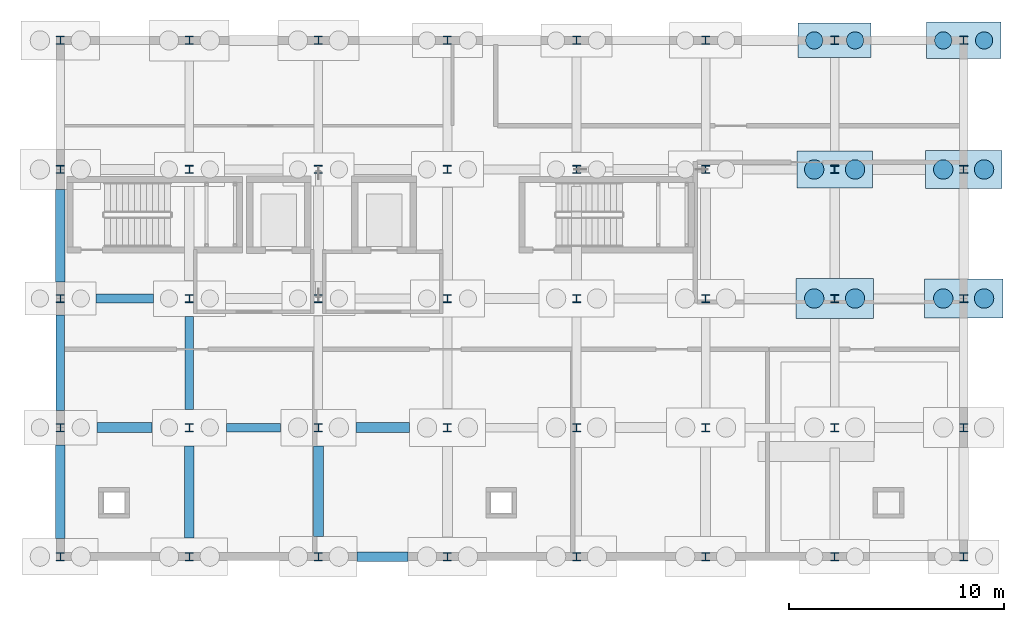
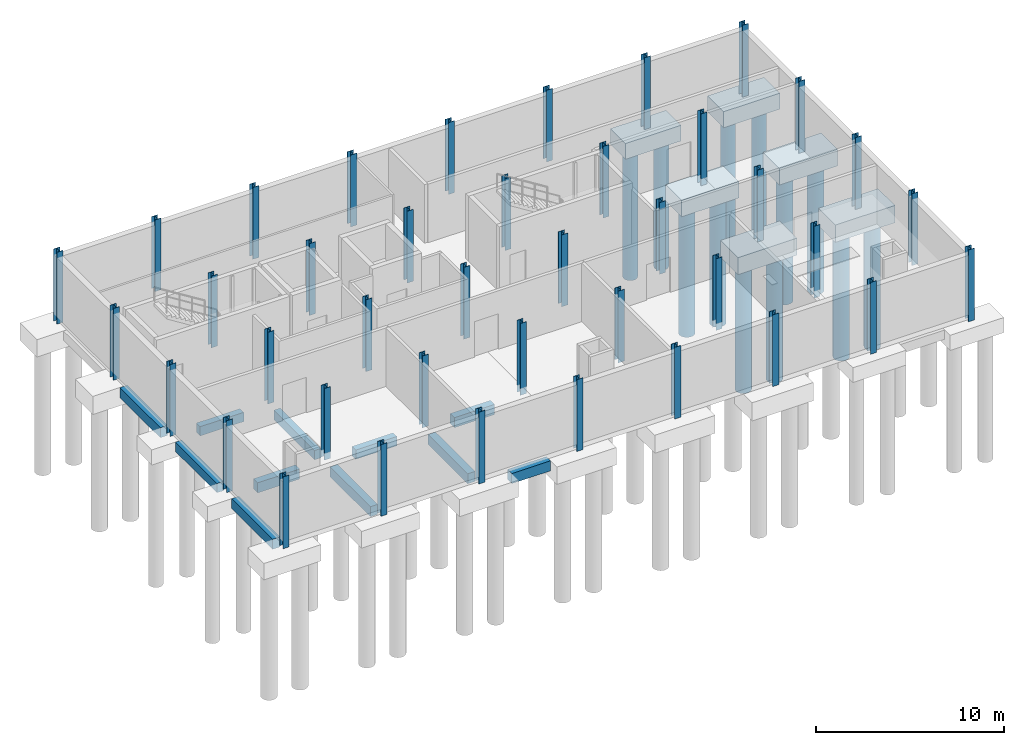
# One storey, part 2 of 12: 40 columns, 12 piles, 11 beams, 6 footings.
"""IFC4 building model written with IfcOpenShell, lengths in metres."""

from ifc_helpers import new_model, si_unit, direction, frame, origin, origin_2d, place, context, subcontext, project, spatial, rectangle, circle, i_section, extrude, material, material_profile, profile_set, type_object, element, save


model = new_model("IFC4")

# Units and contexts
model_context = context("Model", 3, precision=1e-05, world=origin(), true_north=direction((0.0, 1.0)))
body_context = subcontext(model_context, "Body", "Model", "MODEL_VIEW")
ifc_project = project(units=[si_unit("LENGTHUNIT", "METRE"), si_unit("AREAUNIT", "SQUARE_METRE"), si_unit("VOLUMEUNIT", "CUBIC_METRE"), si_unit("PLANEANGLEUNIT", "RADIAN"), si_unit("MASSUNIT", "GRAM", prefix="KILO")], contexts=[model_context])

# Site, building, storey
site_placement = place(None, origin())
site = spatial("IfcSite", under=ifc_project, at=site_placement, CompositionType="ELEMENT")
building_placement = place(site_placement, origin())
building = spatial("IfcBuilding", under=site, at=building_placement, Name="Siltcreek Boulevard Central Fire Station", CompositionType="ELEMENT")
storey_placement = place(building_placement, frame((0.0, 0.0, -4.199951171875)))
storey = spatial("IfcBuildingStorey", under=building, at=storey_placement, Name="B01", CompositionType="ELEMENT", Elevation=-4.199951171875)

# Footings
ifc_material_1 = material(Name="Concrete C35/45", Category="concrete")
footing_type_1 = type_object("IfcFootingType", Name="PC_340X160X102", PredefinedType="PILE_CAP", material=ifc_material_1)
footing_1_placement = place(storey_placement, frame((160.199951171875, 112.199951171875, -1.469970703125), z_axis=(0.0, 0.0, 1.0), x_axis=(1.0, 0.0, 0.0)))
element("IfcFooting", 1, at=footing_1_placement, inside=storey, type_object=footing_type_1, Name="Reinforced concrete pile cap PC-163", PredefinedType="PILE_CAP", context=body_context, shape_type="SweptSolid", body=[
    extrude(rectangle(XDim=3.39990234375, YDim=1.60009765625, at=origin_2d()), origin(), (0.0, 0.0, 1.0), 1.02001953125),
])
footing_type_2 = type_object("IfcFootingType", Name="PC_345X170X104", PredefinedType="PILE_CAP", material=ifc_material_1)
footing_2_placement = place(storey_placement, frame((166.199951171875, 112.199951171875, -1.489990234375), z_axis=(0.0, 0.0, 1.0), x_axis=(1.0, 0.0, 0.0)))
element("IfcFooting", 2, at=footing_2_placement, inside=storey, type_object=footing_type_2, Name="Reinforced concrete pile cap PC-168", PredefinedType="PILE_CAP", context=body_context, shape_type="SweptSolid", body=[
    extrude(rectangle(XDim=3.449951171875, YDim=1.699951171875, at=origin_2d()), origin(), (0.0, 0.0, 1.0), 1.0400390625),
])
footing_type_3 = type_object("IfcFootingType", Name="PC_350X170X106", PredefinedType="PILE_CAP", material=ifc_material_1)
footing_3_placement = place(storey_placement, frame((160.199951171875, 106.199951171875, -1.510009765625), z_axis=(0.0, 0.0, 1.0), x_axis=(1.0, 0.0, 0.0)))
element("IfcFooting", 3, at=footing_3_placement, inside=storey, type_object=footing_type_3, Name="Reinforced concrete pile cap PC-162", PredefinedType="PILE_CAP", context=body_context, shape_type="SweptSolid", body=[
    extrude(rectangle(XDim=3.5, YDim=1.699951171875, at=origin_2d()), origin(), (0.0, 0.0, 1.0), 1.06005859375),
])
footing_type_4 = type_object("IfcFootingType", Name="PC_355X175X108", PredefinedType="PILE_CAP", material=ifc_material_1)
footing_4_placement = place(storey_placement, frame((166.199951171875, 106.199951171875, -1.530029296875), z_axis=(0.0, 0.0, 1.0), x_axis=(1.0, 0.0, 0.0)))
element("IfcFooting", 4, at=footing_4_placement, inside=storey, type_object=footing_type_4, Name="Reinforced concrete pile cap PC-167", PredefinedType="PILE_CAP", context=body_context, shape_type="SweptSolid", body=[
    extrude(rectangle(XDim=3.550048828125, YDim=1.75, at=origin_2d()), origin(), (0.0, 0.0, 1.0), 1.080078125),
])
footing_type_5 = type_object("IfcFootingType", Name="PC_360X185X110", PredefinedType="PILE_CAP", material=ifc_material_1)
footing_5_placement = place(storey_placement, frame((160.199951171875, 100.199951171875, -1.550048828125), z_axis=(0.0, 0.0, 1.0), x_axis=(1.0, 0.0, 0.0)))
element("IfcFooting", 5, at=footing_5_placement, inside=storey, type_object=footing_type_5, Name="Reinforced concrete pile cap PC-161", PredefinedType="PILE_CAP", context=body_context, shape_type="SweptSolid", body=[
    extrude(rectangle(XDim=3.60009765625, YDim=1.85009765625, at=origin_2d()), origin(), (0.0, 0.0, 1.0), 1.10009765625),
])
footing_type_6 = type_object("IfcFootingType", Name="PC_365X180X112", PredefinedType="PILE_CAP", material=ifc_material_1)
footing_6_placement = place(storey_placement, frame((166.199951171875, 100.199951171875, -1.570068359375), z_axis=(0.0, 0.0, 1.0), x_axis=(1.0, 0.0, 0.0)))
element("IfcFooting", 6, at=footing_6_placement, inside=storey, type_object=footing_type_6, Name="Reinforced concrete pile cap PC-166", PredefinedType="PILE_CAP", context=body_context, shape_type="SweptSolid", body=[
    extrude(rectangle(XDim=3.64990234375, YDim=1.800048828125, at=origin_2d()), origin(), (0.0, 0.0, 1.0), 1.1201171875),
])

# Piles
ifc_material_profile_1 = material_profile(ifc_material_1, circle(Radius=0.39990234375, at=origin_2d()), Name="SHAFT800")
ifc_profile_set_1 = profile_set([ifc_material_profile_1], Name="Concrete C35/45")
pile_type_1 = type_object("IfcPileType", Name="PILE_D800", PredefinedType="BORED", material=ifc_profile_set_1)
for number, where, z_axis, x_axis, name in (
    (7, (159.25, 112.199951171875, -1.3701171875), (0.0, 0.0, -1.0), (1.0, 0.0, 0.0), "Bored concrete pile 312 in Vashon till"),
    (8, (161.14990234375, 112.199951171875, -1.3701171875), (0.0, 0.0, -1.0), (1.0, 0.0, 0.0), "Bored concrete pile 313 in Vashon till"),
):
    element("IfcPile", number, at=place(storey_placement, frame(where, z_axis=z_axis, x_axis=x_axis)), inside=storey, type_object=pile_type_1, Name=name, PredefinedType="BORED", context=body_context, shape_type="SweptSolid", body=[
        extrude(circle(Radius=0.39990234375, at=origin_2d()), origin(), (0.0, 0.0, 1.0), 8.429931640625),
    ])
for number, where, z_axis, x_axis, name in (
    (9, (165.25, 112.199951171875, -1.39013671875), (0.0, 0.0, -1.0), (1.0, 0.0, 0.0), "Bored concrete pile 322 in Vashon till"),
    (10, (167.14990234375, 112.199951171875, -1.39013671875), (0.0, 0.0, -1.0), (1.0, 0.0, 0.0), "Bored concrete pile 323 in Vashon till"),
):
    element("IfcPile", number, at=place(storey_placement, frame(where, z_axis=z_axis, x_axis=x_axis)), inside=storey, type_object=pile_type_1, Name=name, PredefinedType="BORED", context=body_context, shape_type="SweptSolid", body=[
        extrude(circle(Radius=0.39990234375, at=origin_2d()), origin(), (0.0, 0.0, 1.0), 8.409912109375),
    ])
ifc_material_profile_2 = material_profile(ifc_material_1, circle(Radius=0.449951171875, at=origin_2d()), Name="SHAFT900")
ifc_profile_set_2 = profile_set([ifc_material_profile_2], Name="Concrete C35/45")
pile_type_2 = type_object("IfcPileType", Name="PILE_D900", PredefinedType="BORED", material=ifc_profile_set_2)
for number, where, z_axis, x_axis, name in (
    (11, (159.25, 100.199951171875, -1.449951171875), (0.0, 0.0, -1.0), (1.0, 0.0, 0.0), "Bored concrete pile 308 in Vashon till"),
    (12, (161.14990234375, 100.199951171875, -1.449951171875), (0.0, 0.0, -1.0), (1.0, 0.0, 0.0), "Bored concrete pile 309 in Vashon till"),
):
    element("IfcPile", number, at=place(storey_placement, frame(where, z_axis=z_axis, x_axis=x_axis)), inside=storey, type_object=pile_type_2, Name=name, PredefinedType="BORED", context=body_context, shape_type="SweptSolid", body=[
        extrude(circle(Radius=0.449951171875, at=origin_2d()), origin(), (0.0, 0.0, 1.0), 8.35009765625),
    ])
for number, where, z_axis, x_axis, name in (
    (13, (159.25, 106.199951171875, -1.41015625), (0.0, 0.0, -1.0), (1.0, 0.0, 0.0), "Bored concrete pile 310 in Vashon till"),
    (14, (161.14990234375, 106.199951171875, -1.41015625), (0.0, 0.0, -1.0), (1.0, 0.0, 0.0), "Bored concrete pile 311 in Vashon till"),
):
    element("IfcPile", number, at=place(storey_placement, frame(where, z_axis=z_axis, x_axis=x_axis)), inside=storey, type_object=pile_type_2, Name=name, PredefinedType="BORED", context=body_context, shape_type="SweptSolid", body=[
        extrude(circle(Radius=0.449951171875, at=origin_2d()), origin(), (0.0, 0.0, 1.0), 8.389892578125),
    ])
for number, where, z_axis, x_axis, name in (
    (15, (165.25, 100.199951171875, -1.469970703125), (0.0, 0.0, -1.0), (1.0, 0.0, 0.0), "Bored concrete pile 318 in Vashon till"),
    (16, (167.14990234375, 100.199951171875, -1.469970703125), (0.0, 0.0, -1.0), (1.0, 0.0, 0.0), "Bored concrete pile 319 in Vashon till"),
):
    element("IfcPile", number, at=place(storey_placement, frame(where, z_axis=z_axis, x_axis=x_axis)), inside=storey, type_object=pile_type_2, Name=name, PredefinedType="BORED", context=body_context, shape_type="SweptSolid", body=[
        extrude(circle(Radius=0.449951171875, at=origin_2d()), origin(), (0.0, 0.0, 1.0), 8.330078125),
    ])
for number, where, z_axis, x_axis, name in (
    (17, (165.25, 106.199951171875, -1.429931640625), (0.0, 0.0, -1.0), (1.0, 0.0, 0.0), "Bored concrete pile 320 in Vashon till"),
    (18, (167.14990234375, 106.199951171875, -1.429931640625), (0.0, 0.0, -1.0), (1.0, 0.0, 0.0), "Bored concrete pile 321 in Vashon till"),
):
    element("IfcPile", number, at=place(storey_placement, frame(where, z_axis=z_axis, x_axis=x_axis)), inside=storey, type_object=pile_type_2, Name=name, PredefinedType="BORED", context=body_context, shape_type="SweptSolid", body=[
        extrude(circle(Radius=0.449951171875, at=origin_2d()), origin(), (0.0, 0.0, 1.0), 8.3701171875),
    ])

# Columns
ifc_material_2 = material(Name="Structural steel ASTM A992 Gr50", Category="steel")
ifc_material_profile_3 = material_profile(ifc_material_2, i_section(OverallWidth=0.3740234375, OverallDepth=0.3720703125, WebThickness=0.016357421875, FlangeThickness=0.026123046875, at=origin_2d()), Name="W360X196")
ifc_profile_set_3 = profile_set([ifc_material_profile_3], Name="Structural steel ASTM A992 Gr50")
column_type = type_object("IfcColumnType", Name="COL_W360X196", PredefinedType="COLUMN", material=ifc_profile_set_3)
for number, where, z_axis, x_axis, name in (
    (19, (124.199951171875, 88.199951171875, -0.449951171875), (0.0, 0.0, 1.0), (1.0, 0.0, 0.0), "B01 structural column COLG-B01-1242-882"),
    (20, (124.199951171875, 94.199951171875, -0.449951171875), (0.0, 0.0, 1.0), (1.0, 0.0, 0.0), "B01 structural column COLG-B01-1242-942"),
    (21, (124.199951171875, 100.199951171875, -0.449951171875), (0.0, 0.0, 1.0), (1.0, 0.0, 0.0), "B01 structural column COLG-B01-1242-1002"),
    (22, (124.199951171875, 106.199951171875, -0.449951171875), (0.0, 0.0, 1.0), (1.0, 0.0, 0.0), "B01 structural column COLG-B01-1242-1062"),
    (23, (124.199951171875, 112.199951171875, -0.449951171875), (0.0, 0.0, 1.0), (1.0, 0.0, 0.0), "B01 structural column COLG-B01-1242-1122"),
    (24, (130.199951171875, 88.199951171875, -0.449951171875), (0.0, 0.0, 1.0), (1.0, 0.0, 0.0), "B01 structural column COLG-B01-1302-882"),
    (25, (130.199951171875, 94.199951171875, -0.449951171875), (0.0, 0.0, 1.0), (1.0, 0.0, 0.0), "B01 structural column COLG-B01-1302-942"),
    (26, (130.199951171875, 100.199951171875, -0.449951171875), (0.0, 0.0, 1.0), (1.0, 0.0, 0.0), "B01 structural column COLG-B01-1302-1002"),
    (27, (130.199951171875, 106.199951171875, -0.449951171875), (0.0, 0.0, 1.0), (1.0, 0.0, 0.0), "B01 structural column COLG-B01-1302-1062"),
    (28, (130.199951171875, 112.199951171875, -0.449951171875), (0.0, 0.0, 1.0), (1.0, 0.0, 0.0), "B01 structural column COLG-B01-1302-1122"),
    (29, (136.199951171875, 88.199951171875, -0.449951171875), (0.0, 0.0, 1.0), (1.0, 0.0, 0.0), "B01 structural column COLG-B01-1362-882"),
    (30, (136.199951171875, 94.199951171875, -0.449951171875), (0.0, 0.0, 1.0), (1.0, 0.0, 0.0), "B01 structural column COLG-B01-1362-942"),
    (31, (136.199951171875, 100.199951171875, -0.449951171875), (0.0, 0.0, 1.0), (1.0, 0.0, 0.0), "B01 structural column COLG-B01-1362-1002"),
    (32, (136.199951171875, 106.199951171875, -0.449951171875), (0.0, 0.0, 1.0), (1.0, 0.0, 0.0), "B01 structural column COLG-B01-1362-1062"),
    (33, (136.199951171875, 112.199951171875, -0.449951171875), (0.0, 0.0, 1.0), (1.0, 0.0, 0.0), "B01 structural column COLG-B01-1362-1122"),
    (34, (142.199951171875, 88.199951171875, -0.449951171875), (0.0, 0.0, 1.0), (1.0, 0.0, 0.0), "B01 structural column COLG-B01-1422-882"),
    (35, (142.199951171875, 94.199951171875, -0.449951171875), (0.0, 0.0, 1.0), (1.0, 0.0, 0.0), "B01 structural column COLG-B01-1422-942"),
    (36, (142.199951171875, 100.199951171875, -0.449951171875), (0.0, 0.0, 1.0), (1.0, 0.0, 0.0), "B01 structural column COLG-B01-1422-1002"),
    (37, (142.199951171875, 106.199951171875, -0.449951171875), (0.0, 0.0, 1.0), (1.0, 0.0, 0.0), "B01 structural column COLG-B01-1422-1062"),
    (38, (142.199951171875, 112.199951171875, -0.449951171875), (0.0, 0.0, 1.0), (1.0, 0.0, 0.0), "B01 structural column COLG-B01-1422-1122"),
    (39, (148.199951171875, 88.199951171875, -0.449951171875), (0.0, 0.0, 1.0), (1.0, 0.0, 0.0), "B01 structural column COLG-B01-1482-882"),
    (40, (148.199951171875, 94.199951171875, -0.449951171875), (0.0, 0.0, 1.0), (1.0, 0.0, 0.0), "B01 structural column COLG-B01-1482-942"),
    (41, (148.199951171875, 100.199951171875, -0.449951171875), (0.0, 0.0, 1.0), (1.0, 0.0, 0.0), "B01 structural column COLG-B01-1482-1002"),
    (42, (148.199951171875, 106.199951171875, -0.449951171875), (0.0, 0.0, 1.0), (1.0, 0.0, 0.0), "B01 structural column COLG-B01-1482-1062"),
    (43, (148.199951171875, 112.199951171875, -0.449951171875), (0.0, 0.0, 1.0), (1.0, 0.0, 0.0), "B01 structural column COLG-B01-1482-1122"),
    (44, (154.199951171875, 88.199951171875, -0.449951171875), (0.0, 0.0, 1.0), (1.0, 0.0, 0.0), "B01 structural column COLG-B01-1542-882"),
    (45, (154.199951171875, 94.199951171875, -0.449951171875), (0.0, 0.0, 1.0), (1.0, 0.0, 0.0), "B01 structural column COLG-B01-1542-942"),
    (46, (154.199951171875, 100.199951171875, -0.449951171875), (0.0, 0.0, 1.0), (1.0, 0.0, 0.0), "B01 structural column COLG-B01-1542-1002"),
    (47, (154.199951171875, 106.199951171875, -0.449951171875), (0.0, 0.0, 1.0), (1.0, 0.0, 0.0), "B01 structural column COLG-B01-1542-1062"),
    (48, (154.199951171875, 112.199951171875, -0.449951171875), (0.0, 0.0, 1.0), (1.0, 0.0, 0.0), "B01 structural column COLG-B01-1542-1122"),
    (49, (160.199951171875, 88.199951171875, -0.449951171875), (0.0, 0.0, 1.0), (1.0, 0.0, 0.0), "B01 structural column COLG-B01-1602-882"),
    (50, (160.199951171875, 94.199951171875, -0.449951171875), (0.0, 0.0, 1.0), (1.0, 0.0, 0.0), "B01 structural column COLG-B01-1602-942"),
    (51, (160.199951171875, 100.199951171875, -0.449951171875), (0.0, 0.0, 1.0), (1.0, 0.0, 0.0), "B01 structural column COLG-B01-1602-1002"),
    (52, (160.199951171875, 106.199951171875, -0.449951171875), (0.0, 0.0, 1.0), (1.0, 0.0, 0.0), "B01 structural column COLG-B01-1602-1062"),
    (53, (160.199951171875, 112.199951171875, -0.449951171875), (0.0, 0.0, 1.0), (1.0, 0.0, 0.0), "B01 structural column COLG-B01-1602-1122"),
    (54, (166.199951171875, 88.199951171875, -0.449951171875), (0.0, 0.0, 1.0), (1.0, 0.0, 0.0), "B01 structural column COLG-B01-1662-882"),
    (55, (166.199951171875, 94.199951171875, -0.449951171875), (0.0, 0.0, 1.0), (1.0, 0.0, 0.0), "B01 structural column COLG-B01-1662-942"),
    (56, (166.199951171875, 100.199951171875, -0.449951171875), (0.0, 0.0, 1.0), (1.0, 0.0, 0.0), "B01 structural column COLG-B01-1662-1002"),
    (57, (166.199951171875, 106.199951171875, -0.449951171875), (0.0, 0.0, 1.0), (1.0, 0.0, 0.0), "B01 structural column COLG-B01-1662-1062"),
    (58, (166.199951171875, 112.199951171875, -0.449951171875), (0.0, 0.0, 1.0), (1.0, 0.0, 0.0), "B01 structural column COLG-B01-1662-1122"),
):
    element("IfcColumn", number, at=place(storey_placement, frame(where, z_axis=z_axis, x_axis=x_axis)), inside=storey, type_object=column_type, Name=name, PredefinedType="COLUMN", context=body_context, shape_type="SweptSolid", body=[
        extrude(i_section(OverallWidth=0.3740234375, OverallDepth=0.3720703125, WebThickness=0.016357421875, FlangeThickness=0.026123046875, at=origin_2d()), origin(), (0.0, 0.0, 1.0), 4.64990234375),
    ])

# Beams
ifc_material_profile_4 = material_profile(ifc_material_1, rectangle(XDim=0.39990234375, YDim=0.60009765625, at=origin_2d()), Name="RC400X600")
ifc_profile_set_4 = profile_set([ifc_material_profile_4], Name="Concrete C35/45")
beam_type_1 = type_object("IfcBeamType", Name="GB_RC400X600", PredefinedType="USERDEFINED", material=ifc_profile_set_4)
beam_1_placement = place(storey_placement, frame((131.927001953125, 94.199951171875, -0.75), z_axis=(1.0, 0.0, 0.0), x_axis=(0.0, 1.0, 0.0)))
element("IfcBeam", 59, at=beam_1_placement, inside=storey, type_object=beam_type_1, Name="Reinforced concrete tie grade beam GB-239", ObjectType="GRADE BEAM", PredefinedType="USERDEFINED", context=body_context, shape_type="SweptSolid", body=[
    extrude(rectangle(XDim=0.39990234375, YDim=0.60009765625, at=origin_2d()), origin(), (0.0, 0.0, 1.0), 2.52099609375),
])
beam_2_placement = place(storey_placement, frame((125.85205078125, 100.199951171875, -0.75), z_axis=(1.0, 0.0, 0.0), x_axis=(0.0, 1.0, 0.0)))
element("IfcBeam", 60, at=beam_2_placement, inside=storey, type_object=beam_type_1, Name="Reinforced concrete tie grade beam GB-245", ObjectType="GRADE BEAM", PredefinedType="USERDEFINED", context=body_context, shape_type="SweptSolid", body=[
    extrude(rectangle(XDim=0.39990234375, YDim=0.60009765625, at=origin_2d()), origin(), (0.0, 0.0, 1.0), 2.6708984375),
])
beam_3_placement = place(storey_placement, frame((124.199951171875, 95.001953125, -0.75), z_axis=(0.0, 1.0, 0.0), x_axis=(-1.0, 0.0, 0.0)))
element("IfcBeam", 61, at=beam_3_placement, inside=storey, type_object=beam_type_1, Name="Reinforced concrete tie grade beam GB-267", ObjectType="GRADE BEAM", PredefinedType="USERDEFINED", context=body_context, shape_type="SweptSolid", body=[
    extrude(rectangle(XDim=0.39990234375, YDim=0.60009765625, at=origin_2d()), origin(), (0.0, 0.0, 1.0), 4.421142578125),
])
beam_4_placement = place(storey_placement, frame((130.199951171875, 95.052001953125, -0.75), z_axis=(0.0, 1.0, 0.0), x_axis=(-1.0, 0.0, 0.0)))
element("IfcBeam", 62, at=beam_4_placement, inside=storey, type_object=beam_type_1, Name="Reinforced concrete tie grade beam GB-271", ObjectType="GRADE BEAM", PredefinedType="USERDEFINED", context=body_context, shape_type="SweptSolid", body=[
    extrude(rectangle(XDim=0.39990234375, YDim=0.60009765625, at=origin_2d()), origin(), (0.0, 0.0, 1.0), 4.321044921875),
])
ifc_material_profile_5 = material_profile(ifc_material_1, rectangle(XDim=0.449951171875, YDim=0.64990234375, at=origin_2d()), Name="RC450X650")
ifc_profile_set_5 = profile_set([ifc_material_profile_5], Name="Concrete C35/45")
beam_type_2 = type_object("IfcBeamType", Name="GB_RC450X650", PredefinedType="USERDEFINED", material=ifc_profile_set_5)
beam_5_placement = place(storey_placement, frame((138.001953125, 88.199951171875, -0.775146484375), z_axis=(1.0, 0.0, 0.0), x_axis=(0.0, 1.0, 0.0)))
element("IfcBeam", 63, at=beam_5_placement, inside=storey, type_object=beam_type_2, Name="Reinforced concrete tie grade beam GB-236", ObjectType="GRADE BEAM", PredefinedType="USERDEFINED", context=body_context, shape_type="SweptSolid", body=[
    extrude(rectangle(XDim=0.449951171875, YDim=0.64990234375, at=origin_2d()), origin(), (0.0, 0.0, 1.0), 2.37109375),
])
beam_6_placement = place(storey_placement, frame((125.902099609375, 94.199951171875, -0.775146484375), z_axis=(1.0, 0.0, 0.0), x_axis=(0.0, 1.0, 0.0)))
element("IfcBeam", 64, at=beam_6_placement, inside=storey, type_object=beam_type_2, Name="Reinforced concrete tie grade beam GB-238", ObjectType="GRADE BEAM", PredefinedType="USERDEFINED", context=body_context, shape_type="SweptSolid", body=[
    extrude(rectangle(XDim=0.449951171875, YDim=0.64990234375, at=origin_2d()), origin(), (0.0, 0.0, 1.0), 2.57080078125),
])
beam_7_placement = place(storey_placement, frame((137.951904296875, 94.199951171875, -0.775146484375), z_axis=(1.0, 0.0, 0.0), x_axis=(0.0, 1.0, 0.0)))
element("IfcBeam", 65, at=beam_7_placement, inside=storey, type_object=beam_type_2, Name="Reinforced concrete tie grade beam GB-240", ObjectType="GRADE BEAM", PredefinedType="USERDEFINED", context=body_context, shape_type="SweptSolid", body=[
    extrude(rectangle(XDim=0.449951171875, YDim=0.64990234375, at=origin_2d()), origin(), (0.0, 0.0, 1.0), 2.47119140625),
])
beam_8_placement = place(storey_placement, frame((124.199951171875, 89.052001953125, -0.775146484375), z_axis=(0.0, 1.0, 0.0), x_axis=(-1.0, 0.0, 0.0)))
element("IfcBeam", 66, at=beam_8_placement, inside=storey, type_object=beam_type_2, Name="Reinforced concrete tie grade beam GB-266", ObjectType="GRADE BEAM", PredefinedType="USERDEFINED", context=body_context, shape_type="SweptSolid", body=[
    extrude(rectangle(XDim=0.449951171875, YDim=0.64990234375, at=origin_2d()), origin(), (0.0, 0.0, 1.0), 4.345947265625),
])
beam_9_placement = place(storey_placement, frame((124.199951171875, 100.97705078125, -0.775146484375), z_axis=(0.0, 1.0, 0.0), x_axis=(-1.0, 0.0, 0.0)))
element("IfcBeam", 67, at=beam_9_placement, inside=storey, type_object=beam_type_2, Name="Reinforced concrete tie grade beam GB-268", ObjectType="GRADE BEAM", PredefinedType="USERDEFINED", context=body_context, shape_type="SweptSolid", body=[
    extrude(rectangle(XDim=0.449951171875, YDim=0.64990234375, at=origin_2d()), origin(), (0.0, 0.0, 1.0), 4.2958984375),
])
beam_10_placement = place(storey_placement, frame((130.199951171875, 89.076904296875, -0.775146484375), z_axis=(0.0, 1.0, 0.0), x_axis=(-1.0, 0.0, 0.0)))
element("IfcBeam", 68, at=beam_10_placement, inside=storey, type_object=beam_type_2, Name="Reinforced concrete tie grade beam GB-270", ObjectType="GRADE BEAM", PredefinedType="USERDEFINED", context=body_context, shape_type="SweptSolid", body=[
    extrude(rectangle(XDim=0.449951171875, YDim=0.64990234375, at=origin_2d()), origin(), (0.0, 0.0, 1.0), 4.27099609375),
])
beam_11_placement = place(storey_placement, frame((136.199951171875, 89.126953125, -0.775146484375), z_axis=(0.0, 1.0, 0.0), x_axis=(-1.0, 0.0, 0.0)))
element("IfcBeam", 69, at=beam_11_placement, inside=storey, type_object=beam_type_2, Name="Reinforced concrete tie grade beam GB-274", ObjectType="GRADE BEAM", PredefinedType="USERDEFINED", context=body_context, shape_type="SweptSolid", body=[
    extrude(rectangle(XDim=0.449951171875, YDim=0.64990234375, at=origin_2d()), origin(), (0.0, 0.0, 1.0), 4.220947265625),
])

save(model, "model.ifc")
